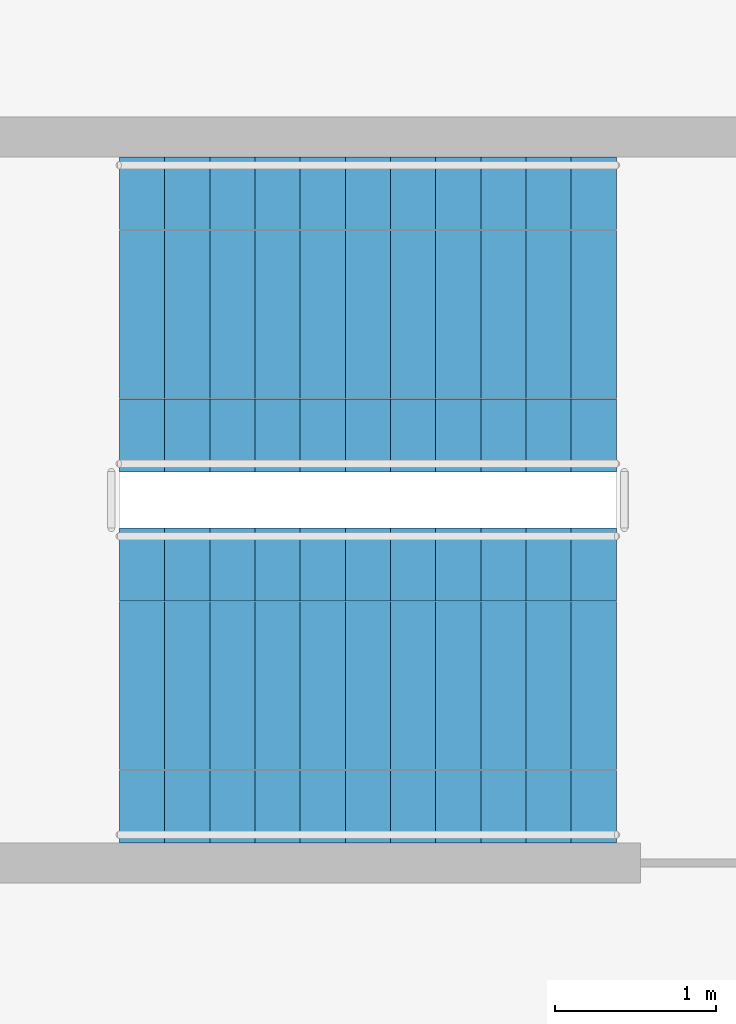
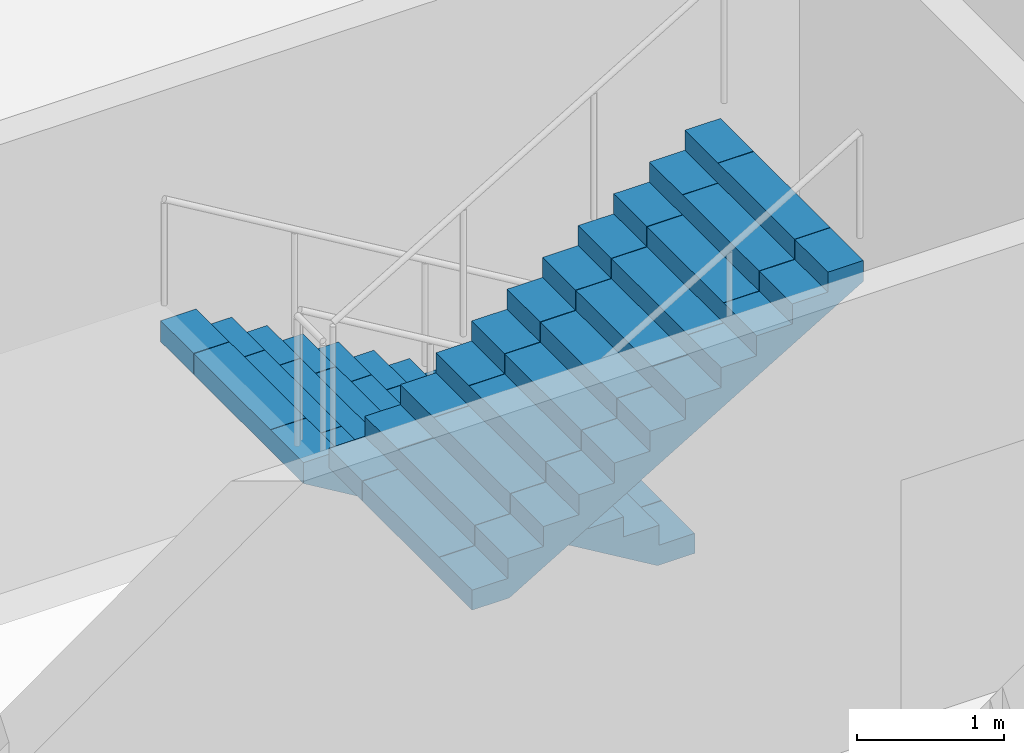
# One storey, part 12 of 13: 2 stair flights, 1 element without a shape of its own.
"""IFC4 building model written with IfcOpenShell, lengths in metres."""

from ifc_helpers import new_model, si_unit, direction, frame, origin, place, context, subcontext, project, spatial, polyline, outline, extrude, material, type_object, element, aggregate, save


model = new_model("IFC4")

# Units and contexts
model_context = context("Model", 3, precision=1e-05, world=origin(), true_north=direction((0.0, 1.0)))
body_context = subcontext(model_context, "Body", "Model", "MODEL_VIEW")
ifc_project = project(units=[si_unit("LENGTHUNIT", "METRE"), si_unit("AREAUNIT", "SQUARE_METRE"), si_unit("VOLUMEUNIT", "CUBIC_METRE"), si_unit("PLANEANGLEUNIT", "RADIAN"), si_unit("MASSUNIT", "GRAM", prefix="KILO")], contexts=[model_context])

# Site, building, storey
site_placement = place(None, origin())
site = spatial("IfcSite", under=ifc_project, at=site_placement, CompositionType="ELEMENT")
building_placement = place(site_placement, origin())
building = spatial("IfcBuilding", under=site, at=building_placement, Name="Corbelhall Arena Tower", CompositionType="ELEMENT")
storey_placement = place(building_placement, frame((0.0, 0.0, 342.0)))
storey = spatial("IfcBuildingStorey", under=building, at=storey_placement, Name="L75", CompositionType="ELEMENT", Elevation=342.0)

# Stair, stair flights
ifc_material = material(Name="Concrete C40/50", Category="concrete")
stair_type = type_object("IfcStairType", Name="IN-ST-TOWER", PredefinedType="HALF_TURN_STAIR", material=ifc_material)
stair_placement = place(storey_placement, origin())
stair = element("IfcStair", 1, at=stair_placement, inside=storey, type_object=stair_type, Name="L75 Exit stair ST3", PredefinedType="HALF_TURN_STAIR")
stair_flight_type = type_object("IfcStairFlightType", Name="IN-SFL-RC", PredefinedType="STRAIGHT", material=ifc_material)
stair_flight_1_placement = place(storey_placement, frame((11.425048828125, 15.699951171875, 0.0), z_axis=(0.0, 0.0, 1.0), x_axis=(-1.0, 0.0, 0.0)))
stair_flight_1 = element("IfcStairFlight", 2, at=stair_flight_1_placement, type_object=stair_flight_type, Name="ST3 flight 1", NumberOfRisers=12, NumberOfTreads=11, PredefinedType="STRAIGHT", RiserHeight=0.166666667, TreadLength=0.28, context=body_context, shape_type="SweptSolid", body=[
    extrude(outline(polyline([(0.0, 0.0), (0.0, 0.166748046875), (0.280029296875, 0.166748046875), (0.280029296875, 0.333251953125), (0.56005859375, 0.333251953125), (0.56005859375, 0.5), (0.840087890625, 0.5), (0.840087890625, 0.666748046875), (1.1201171875, 0.666748046875), (1.1201171875, 0.833251953125), (1.39990234375, 0.833251953125), (1.39990234375, 1.0), (1.679931640625, 1.0), (1.679931640625, 1.166748046875), (1.9599609375, 1.166748046875), (1.9599609375, 1.333251953125), (2.239990234375, 1.333251953125), (2.239990234375, 1.5), (2.52001953125, 1.5), (2.52001953125, 1.666748046875), (2.800048828125, 1.666748046875), (2.800048828125, 1.833251953125), (3.080078125, 1.833251953125), (3.080078125, 2.0), (3.080078125, 1.658935546875), (0.29296875, 0.0), (0.0, 0.0)])), frame((0.0, 0.97509765625, 0.0), z_axis=(0.0, -1.0, 0.0), x_axis=(1.0, 0.0, 0.0)), (0.0, 0.0, 1.0), 0.449951171875),
    extrude(outline(polyline([(0.0, 0.0), (0.0, 0.166748046875), (0.280029296875, 0.166748046875), (0.280029296875, 0.333251953125), (0.56005859375, 0.333251953125), (0.56005859375, 0.5), (0.840087890625, 0.5), (0.840087890625, 0.666748046875), (1.1201171875, 0.666748046875), (1.1201171875, 0.833251953125), (1.39990234375, 0.833251953125), (1.39990234375, 1.0), (1.679931640625, 1.0), (1.679931640625, 1.166748046875), (1.9599609375, 1.166748046875), (1.9599609375, 1.333251953125), (2.239990234375, 1.333251953125), (2.239990234375, 1.5), (2.52001953125, 1.5), (2.52001953125, 1.666748046875), (2.800048828125, 1.666748046875), (2.800048828125, 1.833251953125), (3.080078125, 1.833251953125), (3.080078125, 2.0), (3.080078125, 1.658935546875), (0.29296875, 0.0), (0.0, 0.0)])), frame((0.0, 0.52099609375, 0.0), z_axis=(0.0, -1.0, 0.0), x_axis=(1.0, 0.0, 0.0)), (0.0, 0.0, 1.0), 1.0419921875),
    extrude(outline(polyline([(0.0, 0.0), (0.0, 0.166748046875), (0.280029296875, 0.166748046875), (0.280029296875, 0.333251953125), (0.56005859375, 0.333251953125), (0.56005859375, 0.5), (0.840087890625, 0.5), (0.840087890625, 0.666748046875), (1.1201171875, 0.666748046875), (1.1201171875, 0.833251953125), (1.39990234375, 0.833251953125), (1.39990234375, 1.0), (1.679931640625, 1.0), (1.679931640625, 1.166748046875), (1.9599609375, 1.166748046875), (1.9599609375, 1.333251953125), (2.239990234375, 1.333251953125), (2.239990234375, 1.5), (2.52001953125, 1.5), (2.52001953125, 1.666748046875), (2.800048828125, 1.666748046875), (2.800048828125, 1.833251953125), (3.080078125, 1.833251953125), (3.080078125, 2.0), (3.080078125, 1.658935546875), (0.29296875, 0.0), (0.0, 0.0)])), frame((0.0, -0.52490234375, 0.0), z_axis=(0.0, -1.0, 0.0), x_axis=(1.0, 0.0, 0.0)), (0.0, 0.0, 1.0), 0.449951171875),
])
stair_flight_2_placement = place(storey_placement, frame((8.344970703125, 13.39990234375, 2.0), z_axis=(0.0, 0.0, 1.0), x_axis=(1.0, 0.0, 0.0)))
stair_flight_2 = element("IfcStairFlight", 3, at=stair_flight_2_placement, type_object=stair_flight_type, Name="ST3 flight 2", NumberOfRisers=12, NumberOfTreads=11, PredefinedType="STRAIGHT", RiserHeight=0.166666667, TreadLength=0.28, context=body_context, shape_type="SweptSolid", body=[
    extrude(outline(polyline([(0.0, 0.0), (0.0, 0.166748046875), (0.280029296875, 0.166748046875), (0.280029296875, 0.333251953125), (0.56005859375, 0.333251953125), (0.56005859375, 0.5), (0.840087890625, 0.5), (0.840087890625, 0.666748046875), (1.1201171875, 0.666748046875), (1.1201171875, 0.833251953125), (1.39990234375, 0.833251953125), (1.39990234375, 1.0), (1.679931640625, 1.0), (1.679931640625, 1.166748046875), (1.9599609375, 1.166748046875), (1.9599609375, 1.333251953125), (2.239990234375, 1.333251953125), (2.239990234375, 1.5), (2.52001953125, 1.5), (2.52001953125, 1.666748046875), (2.800048828125, 1.666748046875), (2.800048828125, 1.833251953125), (3.080078125, 1.833251953125), (3.080078125, 2.0), (3.080078125, 1.658935546875), (0.29296875, 0.0), (0.0, 0.0)])), frame((0.0, 0.97509765625, 0.0), z_axis=(0.0, -1.0, 0.0), x_axis=(1.0, 0.0, 0.0)), (0.0, 0.0, 1.0), 0.449951171875),
    extrude(outline(polyline([(0.0, 0.0), (0.0, 0.166748046875), (0.280029296875, 0.166748046875), (0.280029296875, 0.333251953125), (0.56005859375, 0.333251953125), (0.56005859375, 0.5), (0.840087890625, 0.5), (0.840087890625, 0.666748046875), (1.1201171875, 0.666748046875), (1.1201171875, 0.833251953125), (1.39990234375, 0.833251953125), (1.39990234375, 1.0), (1.679931640625, 1.0), (1.679931640625, 1.166748046875), (1.9599609375, 1.166748046875), (1.9599609375, 1.333251953125), (2.239990234375, 1.333251953125), (2.239990234375, 1.5), (2.52001953125, 1.5), (2.52001953125, 1.666748046875), (2.800048828125, 1.666748046875), (2.800048828125, 1.833251953125), (3.080078125, 1.833251953125), (3.080078125, 2.0), (3.080078125, 1.658935546875), (0.29296875, 0.0), (0.0, 0.0)])), frame((0.0, 0.52099609375, 0.0), z_axis=(0.0, -1.0, 0.0), x_axis=(1.0, 0.0, 0.0)), (0.0, 0.0, 1.0), 1.0419921875),
    extrude(outline(polyline([(0.0, 0.0), (0.0, 0.166748046875), (0.280029296875, 0.166748046875), (0.280029296875, 0.333251953125), (0.56005859375, 0.333251953125), (0.56005859375, 0.5), (0.840087890625, 0.5), (0.840087890625, 0.666748046875), (1.1201171875, 0.666748046875), (1.1201171875, 0.833251953125), (1.39990234375, 0.833251953125), (1.39990234375, 1.0), (1.679931640625, 1.0), (1.679931640625, 1.166748046875), (1.9599609375, 1.166748046875), (1.9599609375, 1.333251953125), (2.239990234375, 1.333251953125), (2.239990234375, 1.5), (2.52001953125, 1.5), (2.52001953125, 1.666748046875), (2.800048828125, 1.666748046875), (2.800048828125, 1.833251953125), (3.080078125, 1.833251953125), (3.080078125, 2.0), (3.080078125, 1.658935546875), (0.29296875, 0.0), (0.0, 0.0)])), frame((0.0, -0.52490234375, 0.0), z_axis=(0.0, -1.0, 0.0), x_axis=(1.0, 0.0, 0.0)), (0.0, 0.0, 1.0), 0.449951171875),
])
aggregate(stair, [stair_flight_1, stair_flight_2])

save(model, "model.ifc")
